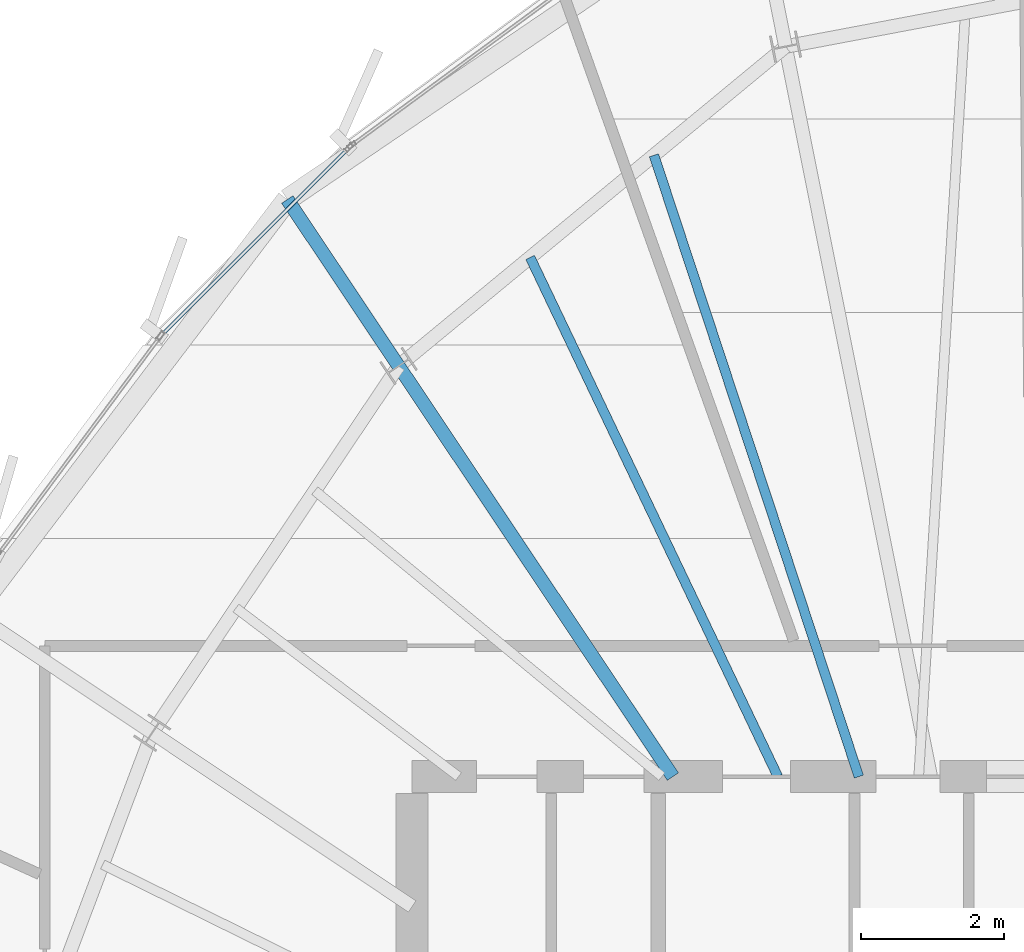
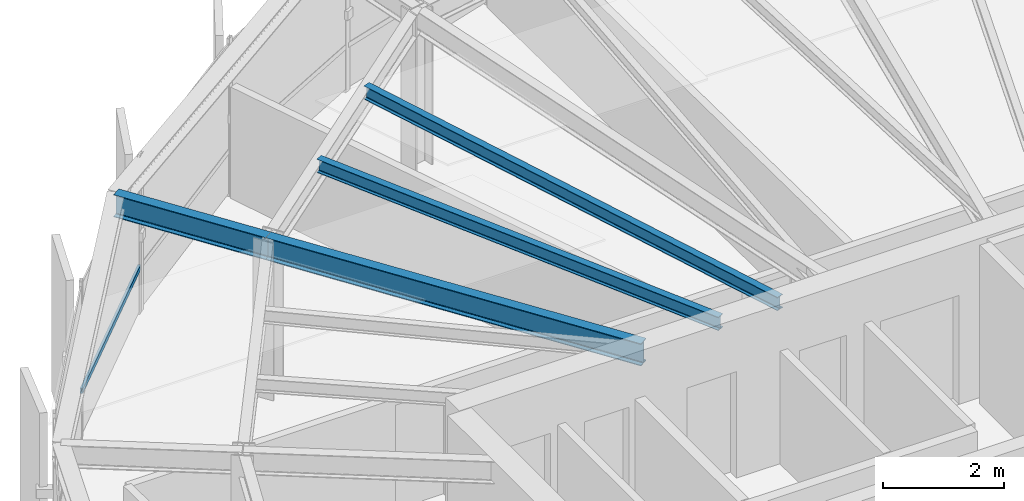
# One storey, part 17 of 30: 4 beams, 1 member, 1 element without a shape of its own.
"""IFC4 building model written with IfcOpenShell, lengths in metres."""

from ifc_helpers import new_model, si_unit, direction, frame, origin, origin_2d, place, context, subcontext, project, spatial, hollow_rectangle, i_section, extrude, source, transform, mapped, material, layer, layer_set, material_profile, profile_set, type_object, element, aggregate, save


model = new_model("IFC4")

# Units and contexts
model_context = context("Model", 3, precision=1e-05, world=origin(), true_north=direction((0.0, 1.0)))
body_context = subcontext(model_context, "Body", "Model", "MODEL_VIEW")
ifc_project = project(units=[si_unit("LENGTHUNIT", "METRE"), si_unit("AREAUNIT", "SQUARE_METRE"), si_unit("VOLUMEUNIT", "CUBIC_METRE"), si_unit("PLANEANGLEUNIT", "RADIAN"), si_unit("MASSUNIT", "GRAM", prefix="KILO"), si_unit("THERMODYNAMICTEMPERATUREUNIT", "KELVIN")], contexts=[model_context])

# Site, building, storey
site_placement = place(None, origin())
site = spatial("IfcSite", under=ifc_project, at=site_placement, CompositionType="ELEMENT")
building_placement = place(site_placement, origin())
building = spatial("IfcBuilding", under=site, at=building_placement, Name="Kethvar Cultural Tower", CompositionType="ELEMENT")
storey_placement = place(building_placement, frame((0.0, 0.0, 297.39990234375)))
storey = spatial("IfcBuildingStorey", under=building, at=storey_placement, Name="L79", CompositionType="ELEMENT", Elevation=297.39990234375)

# Beams
ifc_material_1 = material(Name="Steel S355J2", Category="steel")
ifc_material_profile_1 = material_profile(ifc_material_1, i_section(OverallWidth=0.18994140625, OverallDepth=0.449951171875, WebThickness=0.009521484375, FlangeThickness=0.0146484375, FilletRadius=0.02099609375, at=origin_2d()), Name="Steel S355J2 — IPE450")
ifc_profile_set_1 = profile_set([ifc_material_profile_1], Name="Steel S355J2 — IPE450")
beam_type_1 = type_object("IfcBeamType", Name="BM-IPE450", PredefinedType="BEAM", material=ifc_profile_set_1)
shared_shape_1 = source(origin(), body_context, "Body", "SweptSolid", [
    extrude(i_section(OverallWidth=0.18994140625, OverallDepth=0.449951171875, WebThickness=0.009521484375, FlangeThickness=0.0146484375, FilletRadius=0.02099609375, at=origin_2d()), origin(), (0.0, 0.0, 1.0), 6.921630859375),
])
beam_1_placement = place(storey_placement, frame((41.655029296875, 35.5, 2.983154296875), z_axis=(-0.555570841874, 0.831469205479, 0.0), x_axis=(-0.831469205479, -0.555570841874, 0.0)))
element("IfcBeam", 1, at=beam_1_placement, inside=storey, type_object=beam_type_1, Name="L79 Primary Radial Beam RB-06", PredefinedType="BEAM", context=body_context, shape_type="MappedRepresentation", body=[
    mapped(shared_shape_1, transform((0.0, 0.0, 0.0), scale=1.0)),
])
ifc_material_profile_2 = material_profile(ifc_material_1, i_section(OverallWidth=0.135009765625, OverallDepth=0.27001953125, WebThickness=0.006591796875, FlangeThickness=0.01025390625, FilletRadius=0.014892578125, at=origin_2d()), Name="Steel S355J2 — IPE270")
ifc_profile_set_2 = profile_set([ifc_material_profile_2], Name="Steel S355J2 — IPE270")
beam_type_2 = type_object("IfcBeamType", Name="BM-J270", PredefinedType="JOIST", material=ifc_profile_set_2)
shared_shape_2 = source(origin(), body_context, "Body", "SweptSolid", [
    extrude(i_section(OverallWidth=0.135009765625, OverallDepth=0.27001953125, WebThickness=0.006591796875, FlangeThickness=0.01025390625, FilletRadius=0.014892578125, at=origin_2d()), origin(), (0.0, 0.0, 1.0), 9.17138671875),
])
beam_2_placement = place(storey_placement, frame((44.260986328125, 35.5, 3.072998046875), z_axis=(-0.313151555446, 0.949703165901, 0.0), x_axis=(-0.949703165901, -0.313151555446, 0.0)))
element("IfcBeam", 2, at=beam_2_placement, inside=storey, type_object=beam_type_2, Name="L79 Composite Floor Joist J-05A", PredefinedType="JOIST", context=body_context, shape_type="MappedRepresentation", body=[
    mapped(shared_shape_2, transform((0.0, 0.0, 0.0), scale=1.0)),
])
shared_shape_3 = source(origin(), body_context, "Body", "SweptSolid", [
    extrude(i_section(OverallWidth=0.135009765625, OverallDepth=0.27001953125, WebThickness=0.006591796875, FlangeThickness=0.01025390625, FilletRadius=0.014892578125, at=origin_2d()), origin(), (0.0, 0.0, 1.0), 8.063232421875),
])
beam_3_placement = place(storey_placement, frame((43.1259765625, 35.5, 3.072998046875), z_axis=(-0.430642151588, 0.902522762746, 0.0), x_axis=(-0.902522762746, -0.430642151588, 0.0)))
element("IfcBeam", 3, at=beam_3_placement, inside=storey, type_object=beam_type_2, Name="L79 Composite Floor Joist J-05B", PredefinedType="JOIST", context=body_context, shape_type="MappedRepresentation", body=[
    mapped(shared_shape_3, transform((0.0, 0.0, 0.0), scale=1.0)),
])
shared_shape_4 = source(origin(), body_context, "Body", "SweptSolid", [
    extrude(i_section(OverallWidth=0.18994140625, OverallDepth=0.449951171875, WebThickness=0.009521484375, FlangeThickness=0.0146484375, FilletRadius=0.02099609375, at=origin_2d()), origin(), (0.0, 0.0, 1.0), 2.807861328125),
])
beam_4_placement = place(storey_placement, frame((37.8095703125, 41.255126953125, 2.983154296875), z_axis=(-0.555582716762, 0.831461270797, 0.0), x_axis=(-0.831461270797, -0.555582716762, 0.0)))
element("IfcBeam", 4, at=beam_4_placement, inside=storey, type_object=beam_type_1, Name="L79 Perimeter Cantilever Beam RC-06", PredefinedType="BEAM", context=body_context, shape_type="MappedRepresentation", body=[
    mapped(shared_shape_4, transform((0.0, 0.0, 0.0), scale=1.0)),
])

# Curtain wall, member
ifc_material_2 = material(Name="Aluminium 6063-T6", Category="aluminium")
ifc_layer = layer(ifc_material_2, 0.179931640625, Name="Aluminium 6063-T6", Category="aluminium")
ifc_layer_set = layer_set([ifc_layer], Name="Aluminium 6063-T6 (180 mm)")
curtain_wall_type = type_object("IfcCurtainWallType", Name="CW-SYS-05-Z56", PredefinedType="NOTDEFINED", material=ifc_layer_set)
curtain_wall_placement = place(storey_placement, origin())
curtain_wall = element("IfcCurtainWall", 5, at=curtain_wall_placement, inside=storey, type_object=curtain_wall_type, Name="L79 Curtain Wall Run 02", PredefinedType="NOTDEFINED")
ifc_material_profile_3 = material_profile(ifc_material_2, hollow_rectangle(XDim=0.050048828125, YDim=0.10009765625, WallThickness=0.00390625, at=origin_2d()), Name="Aluminium 6063-T6 — RHS100x50x4")
ifc_profile_set_3 = profile_set([ifc_material_profile_3], Name="Aluminium 6063-T6 — RHS100x50x4")
member_type = type_object("IfcMemberType", Name="CW-SYS-05-Z56-TRN", PredefinedType="USERDEFINED", material=ifc_profile_set_3)
shared_shape_5 = source(origin(), body_context, "Body", "SweptSolid", [
    extrude(hollow_rectangle(XDim=0.050048828125, YDim=0.10009765625, WallThickness=0.00390625, at=origin_2d()), origin(), (0.0, 0.0, 1.0), 3.703125),
])
member_placement = place(storey_placement, frame((37.108642578125, 44.311279296875, 0.9501953125), z_axis=(-0.706941942911, -0.707271581045, 0.0), x_axis=(0.707271581045, -0.706941942911, 0.0)))
member = element("IfcMember", 6, at=member_placement, type_object=member_type, Name="CW-L79-R02 Transom 1", ObjectType="TRANSOM", PredefinedType="USERDEFINED", context=body_context, shape_type="MappedRepresentation", body=[
    mapped(shared_shape_5, transform((0.0, 0.0, 0.0), scale=1.0)),
])
aggregate(curtain_wall, [member])

save(model, "model.ifc")
